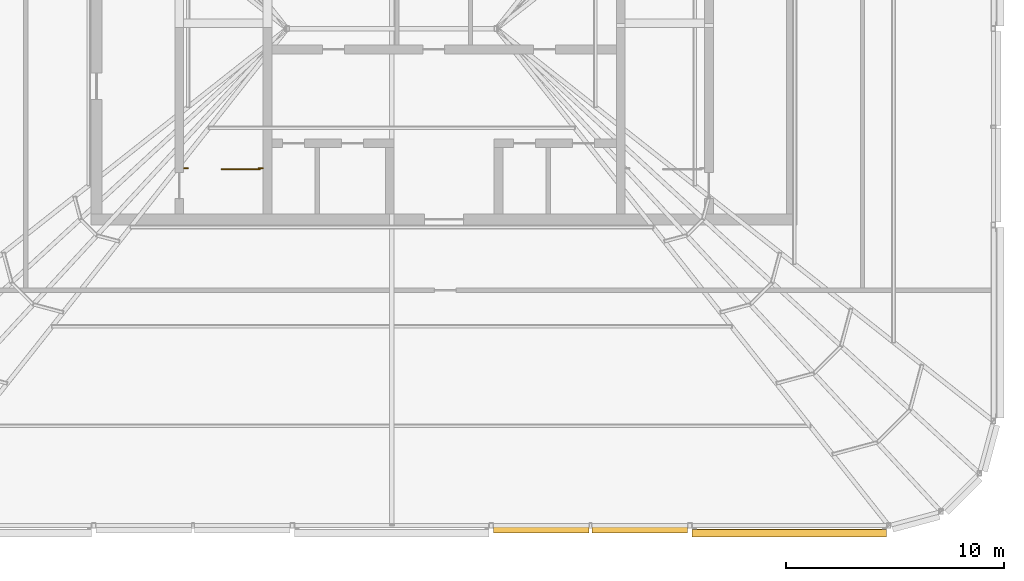
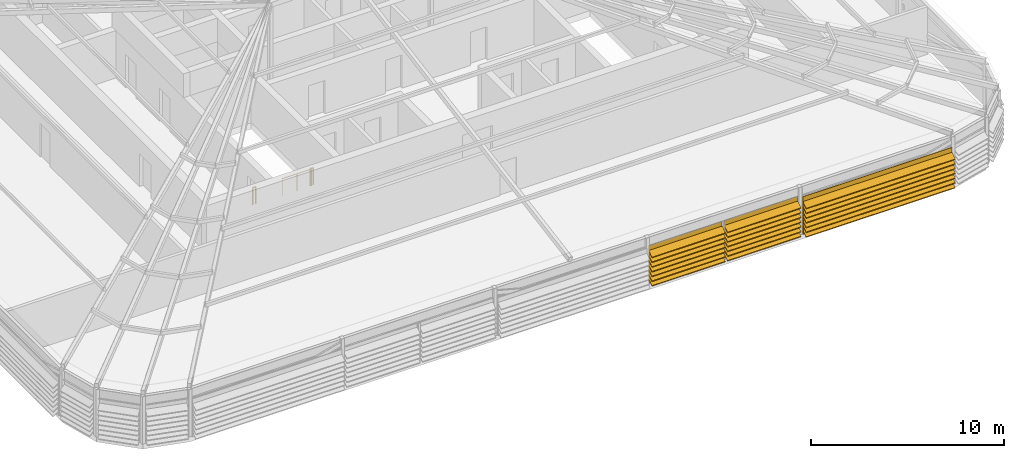
# One storey, part 43 of 46: 3 railings, 3 shading devices.
"""IFC4 building model written with IfcOpenShell, lengths in metres."""

from ifc_helpers import new_model, si_unit, direction, frame, origin, origin_2d, place, context, subcontext, project, spatial, polyline, circle, outline, extrude, material, type_object, element, save


model = new_model("IFC4")

# Units and contexts
model_context = context("Model", 3, precision=1e-05, world=origin(), true_north=direction((0.0, 1.0)))
body_context = subcontext(model_context, "Body", "Model", "MODEL_VIEW")
ifc_project = project(units=[si_unit("LENGTHUNIT", "METRE"), si_unit("AREAUNIT", "SQUARE_METRE"), si_unit("VOLUMEUNIT", "CUBIC_METRE"), si_unit("PLANEANGLEUNIT", "RADIAN"), si_unit("MASSUNIT", "GRAM", prefix="KILO")], contexts=[model_context])

# Site, building, storey
site_placement = place(None, origin())
site = spatial("IfcSite", under=ifc_project, at=site_placement, CompositionType="ELEMENT")
building_placement = place(site_placement, origin())
building = spatial("IfcBuilding", under=site, at=building_placement, Name="Madar Terraces", CompositionType="ELEMENT")
storey_placement = place(building_placement, frame((0.0, 0.0, 317.300048828125)))
storey = spatial("IfcBuildingStorey", under=building, at=storey_placement, Name="L82", CompositionType="ELEMENT", Elevation=317.300048828125)

# Shading devices
ifc_material_1 = material(Name="Aluminium, black anodised", Category="aluminium")
shading_device_type = type_object("IfcShadingDeviceType", Name="Crown louvre bank", PredefinedType="USERDEFINED", material=ifc_material_1)
shading_device_1_placement = place(storey_placement, frame((33.461669921875, 1.199951171875, 0.0), z_axis=(1.0, 0.0, 0.0), x_axis=(0.0, 1.0, 0.0)))
element("IfcShadingDevice", 1, at=shading_device_1_placement, inside=storey, type_object=shading_device_type, Name="LOUVRE bank L82 4.1", ObjectType="LOUVRE", PredefinedType="USERDEFINED", context=body_context, shape_type="SweptSolid", body=[
    extrude(outline(polyline([(0.014892578125, 0.0), (-0.014892578125, 0.0), (-0.014892578125, 0.24951171875), (-0.3427734375, 0.02001953125), (-0.3427734375, 0.06884765625), (-0.014892578125, 0.29833984375), (-0.014892578125, 0.54931640625), (-0.3427734375, 0.320068359375), (-0.3427734375, 0.368896484375), (-0.014892578125, 0.59814453125), (-0.014892578125, 0.849365234375), (-0.3427734375, 0.6201171875), (-0.3427734375, 0.6689453125), (-0.014892578125, 0.898193359375), (-0.014892578125, 1.1494140625), (-0.3427734375, 0.919921875), (-0.3427734375, 0.96875), (-0.014892578125, 1.1982421875), (-0.014892578125, 1.449462890625), (-0.3427734375, 1.219970703125), (-0.3427734375, 1.268798828125), (-0.014892578125, 1.498291015625), (-0.014892578125, 1.74951171875), (-0.3427734375, 1.52001953125), (-0.3427734375, 1.56884765625), (-0.014892578125, 1.79833984375), (-0.014892578125, 2.04931640625), (-0.3427734375, 1.820068359375), (-0.3427734375, 1.868896484375), (-0.014892578125, 2.09814453125), (-0.014892578125, 2.39794921875), (0.014892578125, 2.39794921875), (0.014892578125, 0.0)])), origin(), (0.0, 0.0, 1.0), 4.394775390625),
])
shading_device_2_placement = place(storey_placement, frame((37.9833984375, 1.199951171875, 0.0), z_axis=(1.0, 0.0, 0.0), x_axis=(0.0, 1.0, 0.0)))
element("IfcShadingDevice", 2, at=shading_device_2_placement, inside=storey, type_object=shading_device_type, Name="LOUVRE bank L82 4.2", ObjectType="LOUVRE", PredefinedType="USERDEFINED", context=body_context, shape_type="SweptSolid", body=[
    extrude(outline(polyline([(0.014892578125, 0.0), (-0.014892578125, 0.0), (-0.014892578125, 0.24951171875), (-0.3427734375, 0.02001953125), (-0.3427734375, 0.06884765625), (-0.014892578125, 0.29833984375), (-0.014892578125, 0.54931640625), (-0.3427734375, 0.320068359375), (-0.3427734375, 0.368896484375), (-0.014892578125, 0.59814453125), (-0.014892578125, 0.849365234375), (-0.3427734375, 0.6201171875), (-0.3427734375, 0.6689453125), (-0.014892578125, 0.898193359375), (-0.014892578125, 1.1494140625), (-0.3427734375, 0.919921875), (-0.3427734375, 0.96875), (-0.014892578125, 1.1982421875), (-0.014892578125, 1.449462890625), (-0.3427734375, 1.219970703125), (-0.3427734375, 1.268798828125), (-0.014892578125, 1.498291015625), (-0.014892578125, 1.74951171875), (-0.3427734375, 1.52001953125), (-0.3427734375, 1.56884765625), (-0.014892578125, 1.79833984375), (-0.014892578125, 2.04931640625), (-0.3427734375, 1.820068359375), (-0.3427734375, 1.868896484375), (-0.014892578125, 2.09814453125), (-0.014892578125, 2.39794921875), (0.014892578125, 2.39794921875), (0.014892578125, 0.0)])), origin(), (0.0, 0.0, 1.0), 4.39501953125),
])
shading_device_3_placement = place(storey_placement, frame((42.58154296875, 1.199951171875, 0.0), z_axis=(1.0, 0.0, 0.0), x_axis=(0.0, 1.0, 0.0)))
element("IfcShadingDevice", 3, at=shading_device_3_placement, inside=storey, type_object=shading_device_type, Name="LOUVRE bank L82 5.1", ObjectType="LOUVRE", PredefinedType="USERDEFINED", context=body_context, shape_type="SweptSolid", body=[
    extrude(outline(polyline([(-0.156982421875, 0.0), (-0.18701171875, 0.0), (-0.18701171875, 0.24951171875), (-0.5146484375, 0.02001953125), (-0.5146484375, 0.06884765625), (-0.18701171875, 0.29833984375), (-0.18701171875, 0.54931640625), (-0.5146484375, 0.320068359375), (-0.5146484375, 0.368896484375), (-0.18701171875, 0.59814453125), (-0.18701171875, 0.849365234375), (-0.5146484375, 0.6201171875), (-0.5146484375, 0.6689453125), (-0.18701171875, 0.898193359375), (-0.18701171875, 1.1494140625), (-0.5146484375, 0.919921875), (-0.5146484375, 0.96875), (-0.18701171875, 1.1982421875), (-0.18701171875, 1.449462890625), (-0.5146484375, 1.219970703125), (-0.5146484375, 1.268798828125), (-0.18701171875, 1.498291015625), (-0.18701171875, 1.74951171875), (-0.5146484375, 1.52001953125), (-0.5146484375, 1.56884765625), (-0.18701171875, 1.79833984375), (-0.18701171875, 2.04931640625), (-0.5146484375, 1.820068359375), (-0.5146484375, 1.868896484375), (-0.18701171875, 2.09814453125), (-0.18701171875, 2.39794921875), (-0.156982421875, 2.39794921875), (-0.156982421875, 0.0)])), origin(), (0.0, 0.0, 1.0), 8.916748046875),
])

# Railings
ifc_material_2 = material(Name="Stainless steel railing", Category="steel")
railing_type = type_object("IfcRailingType", Name="Stair guard 1100", PredefinedType="GUARDRAIL", material=ifc_material_2)
railing_placement = place(storey_placement, frame((22.75, 17.550048828125, 0.0)))
element("IfcRailing", 4, at=railing_placement, inside=storey, type_object=railing_type, Name="L82 ST1 top well guard 1", PredefinedType="GUARDRAIL", context=body_context, shape_type="SweptSolid", body=[
    extrude(circle(Radius=0.02392578125, at=origin_2d()), frame((0.0, 0.0, 1.076171875), z_axis=(-1.0, 0.0, 0.0), x_axis=(0.0, -1.0, 0.0)), (0.0, 0.0, 1.0), 1.75),
    extrude(circle(Radius=0.02099609375, at=origin_2d()), origin(), (0.0, 0.0, 1.0), 1.052001953125),
    extrude(circle(Radius=0.02099609375, at=origin_2d()), frame((-0.875, 0.0, 0.0)), (0.0, 0.0, 1.0), 1.052001953125),
    extrude(circle(Radius=0.02099609375, at=origin_2d()), frame((-1.75, 0.0, 0.0)), (0.0, 0.0, 1.0), 1.052001953125),
])
for number, where, name in (
    (5, (19.27001953125, 17.60009765625, 0.0), "L82 stair guard floor 1"),
    (6, (22.699951171875, 17.60009765625, 0.0), "L82 stair guard floor 2"),
):
    element("IfcRailing", number, at=place(storey_placement, frame(where)), inside=storey, type_object=railing_type, Name=name, PredefinedType="GUARDRAIL", context=body_context, shape_type="SweptSolid", body=[
        extrude(circle(Radius=0.02392578125, at=origin_2d()), frame((0.0, 0.0, 1.076171875), z_axis=(1.0, 0.0, 0.0), x_axis=(0.0, 1.0, 0.0)), (0.0, 0.0, 1.0), 0.179931640625),
        extrude(circle(Radius=0.02099609375, at=origin_2d()), origin(), (0.0, 0.0, 1.0), 1.052001953125),
        extrude(circle(Radius=0.02099609375, at=origin_2d()), frame((0.179931640625, 0.0, 0.0)), (0.0, 0.0, 1.0), 1.052001953125),
    ])

save(model, "model.ifc")
